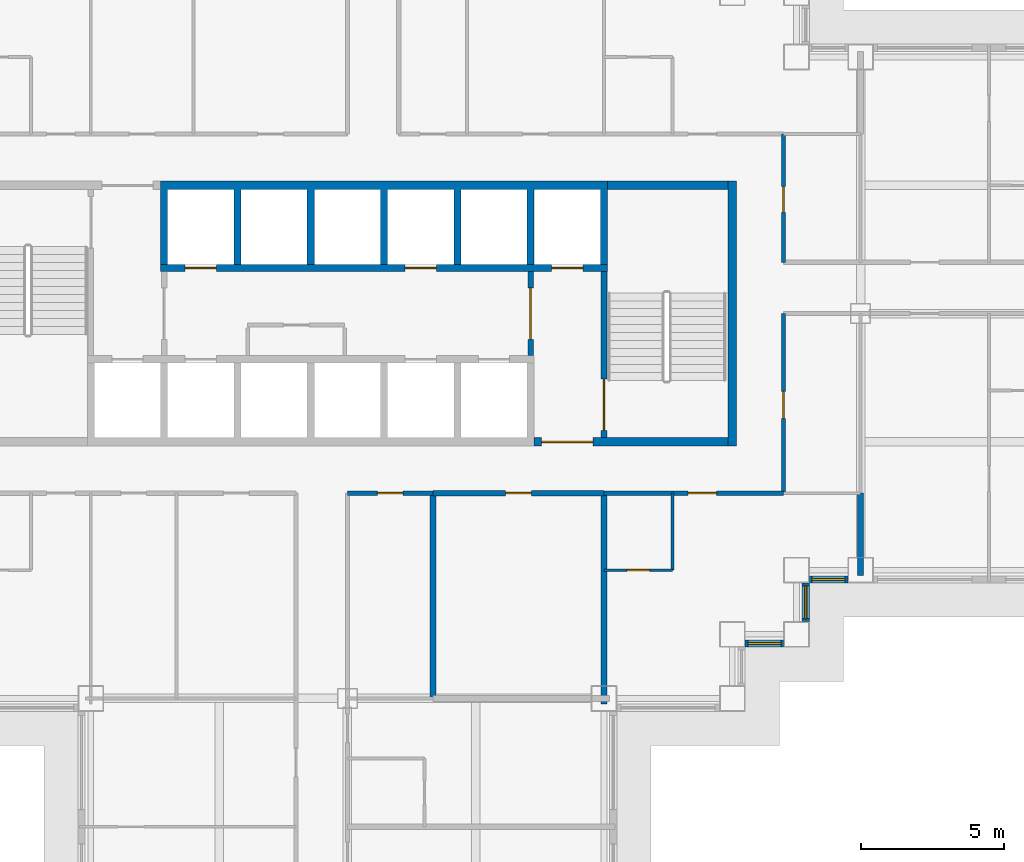
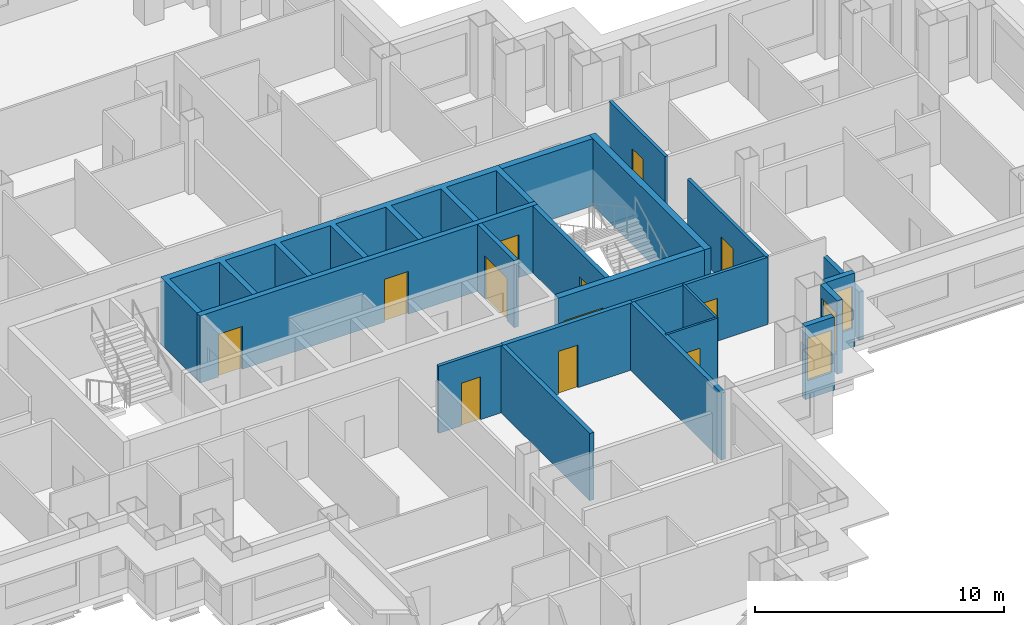
# One storey, part 6 of 15: 20 walls, 12 doors, 3 windows, 15 openings.
"""IFC4 building model written with IfcOpenShell, lengths in metres."""

from ifc_helpers import new_model, si_unit, direction, frame, frame_2d, origin, place, context, subcontext, project, spatial, polyline, rectangle, outline, extrude, material, layer, layer_set, type_object, element, fill, save


model = new_model("IFC4")

# Units and contexts
model_context = context("Model", 3, precision=1e-05, world=origin(), true_north=direction((0.0, 1.0)))
body_context = subcontext(model_context, "Body", "Model", "MODEL_VIEW")
ifc_project = project(units=[si_unit("LENGTHUNIT", "METRE"), si_unit("AREAUNIT", "SQUARE_METRE"), si_unit("VOLUMEUNIT", "CUBIC_METRE"), si_unit("PLANEANGLEUNIT", "RADIAN"), si_unit("MASSUNIT", "GRAM", prefix="KILO")], contexts=[model_context])

# Site, building, storey
site_placement = place(None, origin())
site = spatial("IfcSite", under=ifc_project, at=site_placement, CompositionType="ELEMENT")
building_placement = place(site_placement, origin())
building = spatial("IfcBuilding", under=site, at=building_placement, Name="Caravel Reach Hotel and Residences", CompositionType="ELEMENT")
storey_placement = place(building_placement, frame((0.0, 0.0, 104.39990234375)))
storey = spatial("IfcBuildingStorey", under=building, at=storey_placement, Name="L25", CompositionType="ELEMENT", Elevation=104.39990234375)

# Wall, opening, door
ifc_material_1 = material(Name="Gypsum board on steel stud", Category="steel")
ifc_layer_1 = layer(ifc_material_1, 0.10009765625)
ifc_layer_set_1 = layer_set([ifc_layer_1], Name="Bathroom pod wall 100 mm")
wall_type_1 = type_object("IfcWallType", Name="Bathroom pod wall 100 mm", PredefinedType="PARTITIONING", material=ifc_layer_set_1)
wall_1_placement = place(storey_placement, frame((40.5, 18.0, 0.0), z_axis=(0.0, 0.0, 1.0), x_axis=(1.0, 0.0, 0.0)))
wall_1 = element("IfcWall", 1, at=wall_1_placement, inside=storey, type_object=wall_type_1, Name="L25 wall w084", PredefinedType="PARTITIONING", context=body_context, shape_type="SweptSolid", body=[
    extrude(rectangle(XDim=2.39990234375, YDim=0.10009765625, at=frame_2d((1.199951171875, 0.0))), origin(), (0.0, 0.0, 1.0), 3.300048828125),
])
opening_1_placement = place(wall_1_placement, frame((0.800048828125, 0.0, 0.0)))
opening_1 = element("IfcOpeningElement", 2, at=opening_1_placement, cuts=wall_1, Name="Opening D25-052", PredefinedType="OPENING", context=body_context, shape_type="SweptSolid", body=[
    extrude(rectangle(XDim=0.800048828125, YDim=2.10009765625, at=frame_2d((0.39990234375, 1.050048828125))), frame((0.0, 0.06005859375, 0.0), z_axis=(0.0, -1.0, 0.0), x_axis=(1.0, 0.0, 0.0)), (0.0, 0.0, 1.0), 0.1201171875),
])
ifc_material_2 = material(Name="Timber and steel door leaf", Category="steel")
door_type_1 = type_object("IfcDoorType", Name="Bathroom door 800 x 2100", OperationType="SINGLE_SWING_LEFT", PredefinedType="DOOR", material=ifc_material_2)
door_1_placement = place(opening_1_placement, origin())
door_1 = element("IfcDoor", 3, at=door_1_placement, inside=storey, type_object=door_type_1, Name="door D25-052", OperationType="SINGLE_SWING_RIGHT", OverallHeight=2.10009765625, OverallWidth=0.800048828125, PredefinedType="DOOR", context=body_context, shape_type="SweptSolid", body=[
    extrude(rectangle(XDim=0.800048828125, YDim=2.10009765625, at=frame_2d((0.39990234375, 1.050048828125))), frame((0.0, 0.02490234375, 0.0), z_axis=(0.0, -1.0, 0.0), x_axis=(1.0, 0.0, 0.0)), (0.0, 0.0, 1.0), 0.050048828125),
])
fill(opening_1, door_1)

# Wall
wall_2_placement = place(storey_placement, frame((42.89990234375, 18.0, 0.0), z_axis=(0.0, 0.0, 1.0), x_axis=(0.0, 1.0, 0.0)))
element("IfcWall", 4, at=wall_2_placement, inside=storey, type_object=wall_type_1, Name="L25 wall w112", PredefinedType="PARTITIONING", context=body_context, shape_type="SweptSolid", body=[
    extrude(rectangle(XDim=2.699951171875, YDim=0.10009765625, at=frame_2d((1.35009765625, 0.0))), origin(), (0.0, 0.0, 1.0), 3.300048828125),
])

# Wall, opening, door
ifc_material_3 = material(Name="Autoclaved aerated block wall")
ifc_layer_2 = layer(ifc_material_3, 0.199951171875)
ifc_layer_set_2 = layer_set([ifc_layer_2], Name="Compartment wall 200 mm EI 120")
wall_type_2 = type_object("IfcWallType", Name="Compartment wall 200 mm EI 120", PredefinedType="PARTITIONING", material=ifc_layer_set_2)
wall_3_placement = place(storey_placement, frame((34.5, 20.699951171875, 0.0), z_axis=(0.0, 0.0, 1.0), x_axis=(1.0, 0.0, 0.0)))
wall_3 = element("IfcWall", 5, at=wall_3_placement, inside=storey, type_object=wall_type_2, Name="L25 wall w118", PredefinedType="PARTITIONING", context=body_context, shape_type="SweptSolid", body=[
    extrude(rectangle(XDim=6.0, YDim=0.199951171875, at=frame_2d((3.0, 0.0))), origin(), (0.0, 0.0, 1.0), 3.300048828125),
])
opening_2_placement = place(wall_3_placement, frame((2.550048828125, 0.0, 0.0)))
opening_2 = element("IfcOpeningElement", 6, at=opening_2_placement, cuts=wall_3, Name="Opening D25-060", PredefinedType="OPENING", context=body_context, shape_type="SweptSolid", body=[
    extrude(rectangle(XDim=0.89990234375, YDim=2.10009765625, at=frame_2d((0.449951171875, 1.050048828125))), frame((0.0, 0.10986328125, 0.0), z_axis=(0.0, -1.0, 0.0), x_axis=(1.0, 0.0, 0.0)), (0.0, 0.0, 1.0), 0.219970703125),
])
ifc_material_4 = material(Name="Steel fire door leaf", Category="steel")
door_type_2 = type_object("IfcDoorType", Name="Riser door 900 x 2100 EI 60", OperationType="SINGLE_SWING_LEFT", PredefinedType="DOOR", material=ifc_material_4)
door_2_placement = place(opening_2_placement, origin())
door_2 = element("IfcDoor", 7, at=door_2_placement, inside=storey, type_object=door_type_2, Name="door D25-060", OperationType="SINGLE_SWING_RIGHT", OverallHeight=2.10009765625, OverallWidth=0.89990234375, PredefinedType="DOOR", context=body_context, shape_type="SweptSolid", body=[
    extrude(rectangle(XDim=0.89990234375, YDim=2.10009765625, at=frame_2d((0.449951171875, 1.050048828125))), frame((0.0, 0.02490234375, 0.0), z_axis=(0.0, -1.0, 0.0), x_axis=(1.0, 0.0, 0.0)), (0.0, 0.0, 1.0), 0.050048828125),
])
fill(opening_2, door_2)

# Walls
wall_4_placement = place(storey_placement, frame((34.5, 13.5, 0.0), z_axis=(0.0, 0.0, 1.0), x_axis=(0.0, 1.0, 0.0)))
element("IfcWall", 8, at=wall_4_placement, inside=storey, type_object=wall_type_2, Name="L25 wall w119", PredefinedType="PARTITIONING", context=body_context, shape_type="SweptSolid", body=[
    extrude(rectangle(XDim=7.199951171875, YDim=0.199951171875, at=frame_2d((3.60009765625, 0.0))), origin(), (0.0, 0.0, 1.0), 3.300048828125),
])
wall_5_placement = place(storey_placement, frame((40.5, 13.31005859375, 0.0), z_axis=(0.0, 0.0, 1.0), x_axis=(0.0, 1.0, 0.0)))
element("IfcWall", 9, at=wall_5_placement, inside=storey, type_object=wall_type_2, Name="L25 wall w120", PredefinedType="PARTITIONING", context=body_context, shape_type="SweptSolid", body=[
    extrude(rectangle(XDim=7.389892578125, YDim=0.199951171875, at=frame_2d((3.69482421875, 0.0))), origin(), (0.0, 0.0, 1.0), 3.300048828125),
])

# Wall, opening, door
ifc_material_5 = material(Name="Concrete C60", Category="concrete")
ifc_layer_3 = layer(ifc_material_5, 0.300048828125)
ifc_layer_set_3 = layer_set([ifc_layer_3], Name="Core wall 300 mm EI 120")
wall_type_3 = type_object("IfcWallType", Name="Core wall 300 mm EI 120", PredefinedType="SHEAR", material=ifc_layer_set_3)
wall_6_placement = place(storey_placement, frame((38.053466796875, 22.5, 0.0), z_axis=(0.0, 0.0, 1.0), x_axis=(1.0, 0.0, 0.0)))
wall_6 = element("IfcWall", 10, at=wall_6_placement, inside=storey, type_object=wall_type_3, Name="L25 core wall S2", PredefinedType="SHEAR", context=body_context, shape_type="SweptSolid", body=[
    extrude(rectangle(XDim=6.796630859375, YDim=0.300048828125, at=frame_2d((3.3984375, 0.0))), origin(), (0.0, 0.0, 1.0), 3.300048828125),
])
opening_3_placement = place(wall_6_placement, frame((0.2607421875, 0.0, 0.0)))
opening_3 = element("IfcOpeningElement", 11, at=opening_3_placement, cuts=wall_6, Name="Opening D25-014", PredefinedType="OPENING", context=body_context, shape_type="SweptSolid", body=[
    extrude(rectangle(XDim=1.800048828125, YDim=2.10009765625, at=frame_2d((0.89990234375, 1.050048828125))), frame((0.0, 0.159912109375, 0.0), z_axis=(0.0, -1.0, 0.0), x_axis=(1.0, 0.0, 0.0)), (0.0, 0.0, 1.0), 0.320068359375),
])
ifc_material_6 = material(Name="Steel fire door leaf", Category="steel")
door_type_3 = type_object("IfcDoorType", Name="Fire lobby door pair 1800 x 2100 EI 90", OperationType="DOUBLE_DOOR_SINGLE_SWING", PredefinedType="DOOR", material=ifc_material_6)
door_3_placement = place(opening_3_placement, origin())
door_3 = element("IfcDoor", 12, at=door_3_placement, inside=storey, type_object=door_type_3, Name="lobby S door pair to corridor", OperationType="DOUBLE_DOOR_SINGLE_SWING", OverallHeight=2.10009765625, OverallWidth=1.800048828125, PredefinedType="DOOR", context=body_context, shape_type="SweptSolid", body=[
    extrude(rectangle(XDim=1.800048828125, YDim=2.10009765625, at=frame_2d((0.89990234375, 1.050048828125))), frame((0.0, 0.02490234375, 0.0), z_axis=(0.0, -1.0, 0.0), x_axis=(1.0, 0.0, 0.0)), (0.0, 0.0, 1.0), 0.050048828125),
])
fill(opening_3, door_3)

# Walls
wall_7_placement = place(storey_placement, frame((40.625, 31.5, 0.0), z_axis=(0.0, 0.0, 1.0), x_axis=(1.0, 0.0, 0.0)))
element("IfcWall", 13, at=wall_7_placement, inside=storey, type_object=wall_type_3, Name="L25 core wall N2", PredefinedType="SHEAR", context=body_context, shape_type="SweptSolid", body=[
    extrude(rectangle(XDim=4.22509765625, YDim=0.300048828125, at=frame_2d((2.112548828125, 0.0))), origin(), (0.0, 0.0, 1.0), 3.300048828125),
])
wall_8_placement = place(storey_placement, frame((45.0, 22.35009765625, 0.0), z_axis=(0.0, 0.0, 1.0), x_axis=(0.0, 1.0, 0.0)))
element("IfcWall", 14, at=wall_8_placement, inside=storey, type_object=wall_type_3, Name="L25 core wall E", PredefinedType="SHEAR", context=body_context, shape_type="SweptSolid", body=[
    extrude(rectangle(XDim=9.2998046875, YDim=0.300048828125, at=frame_2d((4.64990234375, 0.0))), origin(), (0.0, 0.0, 1.0), 3.300048828125),
])

# Wall, opening, door
ifc_material_7 = material(Name="Gypsum board on steel stud, fire-rated", Category="steel")
ifc_layer_4 = layer(ifc_material_7, 0.14990234375)
ifc_layer_set_4 = layer_set([ifc_layer_4], Name="Corridor wall 150 mm EI 60")
wall_type_4 = type_object("IfcWallType", Name="Corridor wall 150 mm EI 60", PredefinedType="PARTITIONING", material=ifc_layer_set_4)
wall_9_placement = place(storey_placement, frame((40.5, 20.699951171875, 0.0), z_axis=(0.0, 0.0, 1.0), x_axis=(1.0, 0.0, 0.0)))
wall_9 = element("IfcWall", 15, at=wall_9_placement, inside=storey, type_object=wall_type_4, Name="L25 wall w002", PredefinedType="PARTITIONING", context=body_context, shape_type="SweptSolid", body=[
    extrude(rectangle(XDim=6.300048828125, YDim=0.14990234375, at=frame_2d((3.14990234375, 0.0))), origin(), (0.0, 0.0, 1.0), 3.300048828125),
])
opening_4_placement = place(wall_9_placement, frame((2.949951171875, 0.0, 0.0)))
opening_4 = element("IfcOpeningElement", 16, at=opening_4_placement, cuts=wall_9, Name="Opening D25-051", PredefinedType="OPENING", context=body_context, shape_type="SweptSolid", body=[
    extrude(rectangle(XDim=1.0, YDim=2.10009765625, at=frame_2d((0.5, 1.050048828125))), frame((0.0, 0.0849609375, 0.0), z_axis=(0.0, -1.0, 0.0), x_axis=(1.0, 0.0, 0.0)), (0.0, 0.0, 1.0), 0.169921875),
])
ifc_material_8 = material(Name="Steel fire door leaf", Category="steel")
door_type_4 = type_object("IfcDoorType", Name="Guest room door 1000 x 2100 EI 30", OperationType="SINGLE_SWING_LEFT", PredefinedType="DOOR", material=ifc_material_8)
door_4_placement = place(opening_4_placement, origin())
door_4 = element("IfcDoor", 17, at=door_4_placement, inside=storey, type_object=door_type_4, Name="door D25-051", OperationType="SINGLE_SWING_RIGHT", OverallHeight=2.10009765625, OverallWidth=1.0, PredefinedType="DOOR", context=body_context, shape_type="SweptSolid", body=[
    extrude(rectangle(XDim=1.0, YDim=2.10009765625, at=frame_2d((0.5, 1.050048828125))), frame((0.0, 0.02490234375, 0.0), z_axis=(0.0, -1.0, 0.0), x_axis=(1.0, 0.0, 0.0)), (0.0, 0.0, 1.0), 0.050048828125),
])
fill(opening_4, door_4)

wall_10_placement = place(storey_placement, frame((31.5, 20.699951171875, 0.0), z_axis=(0.0, 0.0, 1.0), x_axis=(1.0, 0.0, 0.0)))
wall_10 = element("IfcWall", 18, at=wall_10_placement, inside=storey, type_object=wall_type_4, Name="L25 wall w005", PredefinedType="PARTITIONING", context=body_context, shape_type="SweptSolid", body=[
    extrude(rectangle(XDim=3.0, YDim=0.14990234375, at=frame_2d((1.5, 0.0))), origin(), (0.0, 0.0, 1.0), 3.300048828125),
])
opening_5_placement = place(wall_10_placement, frame((1.050048828125, 0.0, 0.0)))
opening_5 = element("IfcOpeningElement", 19, at=opening_5_placement, cuts=wall_10, Name="Opening D25-059", PredefinedType="OPENING", context=body_context, shape_type="SweptSolid", body=[
    extrude(rectangle(XDim=0.89990234375, YDim=2.10009765625, at=frame_2d((0.449951171875, 1.050048828125))), frame((0.0, 0.0849609375, 0.0), z_axis=(0.0, -1.0, 0.0), x_axis=(1.0, 0.0, 0.0)), (0.0, 0.0, 1.0), 0.169921875),
])
ifc_material_9 = material(Name="Timber and steel door leaf", Category="steel")
door_type_5 = type_object("IfcDoorType", Name="Door 900 x 2100 timber", OperationType="SINGLE_SWING_LEFT", PredefinedType="DOOR", material=ifc_material_9)
door_5_placement = place(opening_5_placement, origin())
door_5 = element("IfcDoor", 20, at=door_5_placement, inside=storey, type_object=door_type_5, Name="door D25-059", OperationType="SINGLE_SWING_RIGHT", OverallHeight=2.10009765625, OverallWidth=0.89990234375, PredefinedType="DOOR", context=body_context, shape_type="SweptSolid", body=[
    extrude(rectangle(XDim=0.89990234375, YDim=2.10009765625, at=frame_2d((0.449951171875, 1.050048828125))), frame((0.0, 0.02490234375, 0.0), z_axis=(0.0, -1.0, 0.0), x_axis=(1.0, 0.0, 0.0)), (0.0, 0.0, 1.0), 0.050048828125),
])
fill(opening_5, door_5)

wall_11_placement = place(storey_placement, frame((46.800048828125, 28.800048828125, 0.0), z_axis=(0.0, 0.0, 1.0), x_axis=(0.0, 1.0, 0.0)))
wall_11 = element("IfcWall", 21, at=wall_11_placement, inside=storey, type_object=wall_type_4, Name="L25 wall w039", PredefinedType="PARTITIONING", context=body_context, shape_type="SweptSolid", body=[
    extrude(rectangle(XDim=4.5, YDim=0.14990234375, at=frame_2d((2.25, 0.0))), origin(), (0.0, 0.0, 1.0), 3.300048828125),
])
opening_6_placement = place(wall_11_placement, frame((1.75, 0.0, 0.0)))
opening_6 = element("IfcOpeningElement", 22, at=opening_6_placement, cuts=wall_11, Name="Opening D25-064", PredefinedType="OPENING", context=body_context, shape_type="SweptSolid", body=[
    extrude(rectangle(XDim=0.89990234375, YDim=2.10009765625, at=frame_2d((0.449951171875, 1.050048828125))), frame((0.0, 0.0849609375, 0.0), z_axis=(0.0, -1.0, 0.0), x_axis=(1.0, 0.0, 0.0)), (0.0, 0.0, 1.0), 0.169921875),
])
door_6_placement = place(opening_6_placement, origin())
door_6 = element("IfcDoor", 23, at=door_6_placement, inside=storey, type_object=door_type_5, Name="door D25-064", OperationType="SINGLE_SWING_RIGHT", OverallHeight=2.10009765625, OverallWidth=0.89990234375, PredefinedType="DOOR", context=body_context, shape_type="SweptSolid", body=[
    extrude(rectangle(XDim=0.89990234375, YDim=2.10009765625, at=frame_2d((0.449951171875, 1.050048828125))), frame((0.0, 0.02490234375, 0.0), z_axis=(0.0, -1.0, 0.0), x_axis=(1.0, 0.0, 0.0)), (0.0, 0.0, 1.0), 0.050048828125),
])
fill(opening_6, door_6)

wall_12_placement = place(storey_placement, frame((46.800048828125, 20.699951171875, 0.0), z_axis=(0.0, 0.0, 1.0), x_axis=(0.0, 1.0, 0.0)))
wall_12 = element("IfcWall", 24, at=wall_12_placement, inside=storey, type_object=wall_type_4, Name="L25 wall w040", PredefinedType="PARTITIONING", context=body_context, shape_type="SweptSolid", body=[
    extrude(rectangle(XDim=6.300048828125, YDim=0.14990234375, at=frame_2d((3.14990234375, 0.0))), origin(), (0.0, 0.0, 1.0), 3.300048828125),
])
opening_7_placement = place(wall_12_placement, frame((2.625, 0.0, 0.0)))
opening_7 = element("IfcOpeningElement", 25, at=opening_7_placement, cuts=wall_12, Name="Opening D25-063", PredefinedType="OPENING", context=body_context, shape_type="SweptSolid", body=[
    extrude(rectangle(XDim=0.949951171875, YDim=2.10009765625, at=frame_2d((0.47509765625, 1.050048828125))), frame((0.0, 0.0849609375, 0.0), z_axis=(0.0, -1.0, 0.0), x_axis=(1.0, 0.0, 0.0)), (0.0, 0.0, 1.0), 0.169921875),
])
ifc_material_10 = material(Name="Timber and steel door leaf", Category="steel")
door_type_6 = type_object("IfcDoorType", Name="Accessible WC door 950 x 2100", OperationType="SINGLE_SWING_LEFT", PredefinedType="DOOR", material=ifc_material_10)
door_7_placement = place(opening_7_placement, origin())
door_7 = element("IfcDoor", 26, at=door_7_placement, inside=storey, type_object=door_type_6, Name="door D25-063", OperationType="SINGLE_SWING_RIGHT", OverallHeight=2.10009765625, OverallWidth=0.949951171875, PredefinedType="DOOR", context=body_context, shape_type="SweptSolid", body=[
    extrude(rectangle(XDim=0.949951171875, YDim=2.10009765625, at=frame_2d((0.47509765625, 1.050048828125))), frame((0.0, 0.02490234375, 0.0), z_axis=(0.0, -1.0, 0.0), x_axis=(1.0, 0.0, 0.0)), (0.0, 0.0, 1.0), 0.050048828125),
])
fill(opening_7, door_7)

# Wall, opening, window
ifc_material_11 = material(Name="Insulated rainscreen wall, aluminium cladding", Category="aluminium")
ifc_layer_5 = layer(ifc_material_11, 0.25)
ifc_layer_set_5 = layer_set([ifc_layer_5], Name="EW1 Tower rainscreen wall")
wall_type_5 = type_object("IfcWallType", Name="EW1 Tower rainscreen wall", PredefinedType="SOLIDWALL", material=ifc_layer_set_5)
wall_13_placement = place(storey_placement, frame((45.449951171875, 15.425048828125, 0.0), z_axis=(0.0, 0.0, 1.0), x_axis=(1.0, 0.0, 0.0)))
wall_13 = element("IfcWall", 27, at=wall_13_placement, inside=storey, type_object=wall_type_5, Name="External wall L25 S13.1", PredefinedType="SOLIDWALL", context=body_context, shape_type="SweptSolid", body=[
    extrude(rectangle(XDim=1.35009765625, YDim=0.25, at=frame_2d((0.675048828125, 0.0))), origin(), (0.0, 0.0, 1.0), 3.60009765625),
])
opening_8_placement = place(wall_13_placement, frame((0.10009765625, 0.0, 0.89990234375)))
opening_8 = element("IfcOpeningElement", 28, at=opening_8_placement, cuts=wall_13, Name="Opening WN8", PredefinedType="OPENING", context=body_context, shape_type="SweptSolid", body=[
    extrude(rectangle(XDim=1.14990234375, YDim=2.080078125, at=frame_2d((0.574951171875, 1.0400390625))), frame((0.0, 0.135009765625, 0.0), z_axis=(0.0, -1.0, 0.0), x_axis=(1.0, 0.0, 0.0)), (0.0, 0.0, 1.0), 0.27001953125),
])
ifc_material_12 = material(Name="Dark low-e glazing in black aluminium frame", Category="aluminium")
window_type = type_object("IfcWindowType", Name="Hotel suite corner window 1150 x 2080", PartitioningType="SINGLE_PANEL", PredefinedType="WINDOW", material=ifc_material_12)
window_1_placement = place(opening_8_placement, origin())
window_1 = element("IfcWindow", 29, at=window_1_placement, inside=storey, type_object=window_type, Name="Window L25 S13.1.1", OverallHeight=2.080078125, OverallWidth=1.14990234375, PartitioningType="SINGLE_PANEL", PredefinedType="WINDOW", context=body_context, shape_type="SweptSolid", body=[
    extrude(rectangle(XDim=1.14990234375, YDim=2.080078125, at=frame_2d((0.574951171875, 1.0400390625))), frame((0.0, 0.030029296875, 0.0), z_axis=(0.0, -1.0, 0.0), x_axis=(1.0, 0.0, 0.0)), (0.0, 0.0, 1.0), 0.06005859375),
])
fill(opening_8, window_1)

wall_14_placement = place(storey_placement, frame((47.574951171875, 16.199951171875, 0.0), z_axis=(0.0, 0.0, 1.0), x_axis=(0.0, 1.0, 0.0)))
wall_14 = element("IfcWall", 30, at=wall_14_placement, inside=storey, type_object=wall_type_5, Name="External wall L25 E14.1", PredefinedType="SOLIDWALL", context=body_context, shape_type="SweptSolid", body=[
    extrude(rectangle(XDim=1.35009765625, YDim=0.25, at=frame_2d((0.675048828125, 0.0))), origin(), (0.0, 0.0, 1.0), 3.60009765625),
])
opening_9_placement = place(wall_14_placement, frame((0.10009765625, 0.0, 0.89990234375)))
opening_9 = element("IfcOpeningElement", 31, at=opening_9_placement, cuts=wall_14, Name="Opening WN8", PredefinedType="OPENING", context=body_context, shape_type="SweptSolid", body=[
    extrude(rectangle(XDim=1.14990234375, YDim=2.080078125, at=frame_2d((0.574951171875, 1.0400390625))), frame((0.0, 0.135009765625, 0.0), z_axis=(0.0, -1.0, 0.0), x_axis=(1.0, 0.0, 0.0)), (0.0, 0.0, 1.0), 0.27001953125),
])
window_2_placement = place(opening_9_placement, origin())
window_2 = element("IfcWindow", 32, at=window_2_placement, inside=storey, type_object=window_type, Name="Window L25 E14.1.1", OverallHeight=2.080078125, OverallWidth=1.14990234375, PartitioningType="SINGLE_PANEL", PredefinedType="WINDOW", context=body_context, shape_type="SweptSolid", body=[
    extrude(rectangle(XDim=1.14990234375, YDim=2.080078125, at=frame_2d((0.574951171875, 1.0400390625))), frame((0.0, 0.030029296875, 0.0), z_axis=(0.0, -1.0, 0.0), x_axis=(1.0, 0.0, 0.0)), (0.0, 0.0, 1.0), 0.06005859375),
])
fill(opening_9, window_2)

wall_15_placement = place(storey_placement, frame((47.699951171875, 17.675048828125, 0.0), z_axis=(0.0, 0.0, 1.0), x_axis=(1.0, 0.0, 0.0)))
wall_15 = element("IfcWall", 33, at=wall_15_placement, inside=storey, type_object=wall_type_5, Name="External wall L25 S15.1", PredefinedType="SOLIDWALL", context=body_context, shape_type="SweptSolid", body=[
    extrude(rectangle(XDim=1.35009765625, YDim=0.25, at=frame_2d((0.675048828125, 0.0))), origin(), (0.0, 0.0, 1.0), 3.60009765625),
])
opening_10_placement = place(wall_15_placement, frame((0.10009765625, 0.0, 0.89990234375)))
opening_10 = element("IfcOpeningElement", 34, at=opening_10_placement, cuts=wall_15, Name="Opening WN8", PredefinedType="OPENING", context=body_context, shape_type="SweptSolid", body=[
    extrude(rectangle(XDim=1.14990234375, YDim=2.080078125, at=frame_2d((0.574951171875, 1.0400390625))), frame((0.0, 0.135009765625, 0.0), z_axis=(0.0, -1.0, 0.0), x_axis=(1.0, 0.0, 0.0)), (0.0, 0.0, 1.0), 0.27001953125),
])
window_3_placement = place(opening_10_placement, origin())
window_3 = element("IfcWindow", 35, at=window_3_placement, inside=storey, type_object=window_type, Name="Window L25 S15.1.1", OverallHeight=2.080078125, OverallWidth=1.14990234375, PartitioningType="SINGLE_PANEL", PredefinedType="WINDOW", context=body_context, shape_type="SweptSolid", body=[
    extrude(rectangle(XDim=1.14990234375, YDim=2.080078125, at=frame_2d((0.574951171875, 1.0400390625))), frame((0.0, 0.030029296875, 0.0), z_axis=(0.0, -1.0, 0.0), x_axis=(1.0, 0.0, 0.0)), (0.0, 0.0, 1.0), 0.06005859375),
])
fill(opening_10, window_3)

# Wall, opening, door
ifc_material_13 = material(Name="Autoclaved aerated block wall")
ifc_layer_6 = layer(ifc_material_13, 0.199951171875)
ifc_layer_set_6 = layer_set([ifc_layer_6], Name="Fire lobby wall 200 mm EI 120")
wall_type_6 = type_object("IfcWallType", Name="Fire lobby wall 200 mm EI 120", PredefinedType="PARTITIONING", material=ifc_layer_set_6)
wall_16_placement = place(storey_placement, frame((37.928466796875, 25.52490234375, 0.0), z_axis=(0.0, 0.0, 1.0), x_axis=(0.0, 1.0, 0.0)))
wall_16 = element("IfcWall", 36, at=wall_16_placement, inside=storey, type_object=wall_type_6, Name="L25 lobby E wall", PredefinedType="PARTITIONING", context=body_context, shape_type="SweptSolid", body=[
    extrude(rectangle(XDim=2.9501953125, YDim=0.199951171875, at=frame_2d((1.47509765625, 0.0))), origin(), (0.0, 0.0, 1.0), 3.300048828125),
])
opening_11_placement = place(wall_16_placement, frame((0.574951171875, 0.0, 0.0)))
opening_11 = element("IfcOpeningElement", 37, at=opening_11_placement, cuts=wall_16, Name="Opening D25-012", PredefinedType="OPENING", context=body_context, shape_type="SweptSolid", body=[
    extrude(rectangle(XDim=1.800048828125, YDim=2.10009765625, at=frame_2d((0.89990234375, 1.050048828125))), frame((0.0, 0.10986328125, 0.0), z_axis=(0.0, -1.0, 0.0), x_axis=(1.0, 0.0, 0.0)), (0.0, 0.0, 1.0), 0.219970703125),
])
door_8_placement = place(opening_11_placement, origin())
door_8 = element("IfcDoor", 38, at=door_8_placement, inside=storey, type_object=door_type_3, Name="lobby E door pair", OperationType="DOUBLE_DOOR_SINGLE_SWING", OverallHeight=2.10009765625, OverallWidth=1.800048828125, PredefinedType="DOOR", context=body_context, shape_type="SweptSolid", body=[
    extrude(rectangle(XDim=1.800048828125, YDim=2.10009765625, at=frame_2d((0.89990234375, 1.050048828125))), frame((0.0, 0.02490234375, 0.0), z_axis=(0.0, -1.0, 0.0), x_axis=(1.0, 0.0, 0.0)), (0.0, 0.0, 1.0), 0.050048828125),
])
fill(opening_11, door_8)

# Walls
ifc_material_14 = material(Name="Autoclaved aerated block wall")
ifc_layer_7 = layer(ifc_material_14, 0.199951171875)
ifc_layer_set_7 = layer_set([ifc_layer_7], Name="Party wall 200 mm EI 60")
wall_type_7 = type_object("IfcWallType", Name="Party wall 200 mm EI 60", PredefinedType="PARTITIONING", material=ifc_layer_set_7)
wall_17_placement = place(storey_placement, frame((49.5, 17.81005859375, 0.0), z_axis=(0.0, 0.0, 1.0), x_axis=(0.0, 1.0, 0.0)))
element("IfcWall", 39, at=wall_17_placement, inside=storey, type_object=wall_type_7, Name="L25 wall w079", PredefinedType="PARTITIONING", context=body_context, shape_type="SweptSolid", body=[
    extrude(rectangle(XDim=2.889892578125, YDim=0.199951171875, at=frame_2d((1.44482421875, 0.0))), origin(), (0.0, 0.0, 1.0), 2.380126953125),
])
ifc_material_15 = material(Name="Concrete C60", Category="concrete")
ifc_layer_8 = layer(ifc_material_15, 0.25)
ifc_layer_set_8 = layer_set([ifc_layer_8], Name="Shaft wall 250 mm EI 120")
wall_type_8 = type_object("IfcWallType", Name="Shaft wall 250 mm EI 120", PredefinedType="SHEAR", material=ifc_layer_set_8)
wall_18_placement = place(storey_placement, origin())
element("IfcWall", 40, at=wall_18_placement, inside=storey, type_object=wall_type_8, Name="L25 lift shaft wall N1", PredefinedType="SHEAR", context=body_context, shape_type="SweptSolid", body=[
    extrude(outline(polyline([(24.946533203125, 28.72509765625), (25.196533203125, 28.72509765625), (25.196533203125, 31.35009765625), (27.517822265625, 31.35009765625), (27.517822265625, 28.72509765625), (27.767822265625, 28.72509765625), (27.767822265625, 31.35009765625), (30.08935546875, 31.35009765625), (30.08935546875, 28.72509765625), (30.33935546875, 28.72509765625), (30.33935546875, 31.35009765625), (32.66064453125, 31.35009765625), (32.66064453125, 28.72509765625), (32.91064453125, 28.72509765625), (32.91064453125, 31.35009765625), (35.232177734375, 31.35009765625), (35.232177734375, 28.72509765625), (35.482177734375, 28.72509765625), (35.482177734375, 31.35009765625), (37.803466796875, 31.35009765625), (37.803466796875, 28.72509765625), (38.053466796875, 28.72509765625), (38.053466796875, 31.35009765625), (40.375, 31.35009765625), (40.375, 28.72509765625), (40.625, 28.72509765625), (40.625, 31.64990234375), (24.946533203125, 31.64990234375), (24.946533203125, 28.72509765625)])), origin(), (0.0, 0.0, 1.0), 3.300048828125),
])

# Wall, openings, doors
wall_19_placement = place(storey_placement, frame((24.946533203125, 28.60009765625, 0.0), z_axis=(0.0, 0.0, 1.0), x_axis=(1.0, 0.0, 0.0)))
wall_19 = element("IfcWall", 41, at=wall_19_placement, inside=storey, type_object=wall_type_8, Name="L25 lobby wall N1", PredefinedType="SHEAR", context=body_context, shape_type="SweptSolid", body=[
    extrude(rectangle(XDim=15.678466796875, YDim=0.25, at=frame_2d((7.83935546875, 0.0))), origin(), (0.0, 0.0, 1.0), 3.300048828125),
])
opening_12_placement = place(wall_19_placement, frame((0.860595703125, 0.0, 0.0)))
opening_12 = element("IfcOpeningElement", 42, at=opening_12_placement, cuts=wall_19, Name="Opening D25-004", PredefinedType="OPENING", context=body_context, shape_type="SweptSolid", body=[
    extrude(rectangle(XDim=1.10009765625, YDim=2.10009765625, at=frame_2d((0.550048828125, 1.050048828125))), frame((0.0, 0.135009765625, 0.0), z_axis=(0.0, -1.0, 0.0), x_axis=(1.0, 0.0, 0.0)), (0.0, 0.0, 1.0), 0.27001953125),
])
opening_13_placement = place(wall_19_placement, frame((8.574951171875, 0.0, 0.0)))
opening_13 = element("IfcOpeningElement", 43, at=opening_13_placement, cuts=wall_19, Name="Opening D25-005", PredefinedType="OPENING", context=body_context, shape_type="SweptSolid", body=[
    extrude(rectangle(XDim=1.10009765625, YDim=2.10009765625, at=frame_2d((0.550048828125, 1.050048828125))), frame((0.0, 0.135009765625, 0.0), z_axis=(0.0, -1.0, 0.0), x_axis=(1.0, 0.0, 0.0)), (0.0, 0.0, 1.0), 0.27001953125),
])
opening_14_placement = place(wall_19_placement, frame((13.718017578125, 0.0, 0.0)))
opening_14 = element("IfcOpeningElement", 44, at=opening_14_placement, cuts=wall_19, Name="Opening D25-007", PredefinedType="OPENING", context=body_context, shape_type="SweptSolid", body=[
    extrude(rectangle(XDim=1.10009765625, YDim=2.10009765625, at=frame_2d((0.550048828125, 1.050048828125))), frame((0.0, 0.135009765625, 0.0), z_axis=(0.0, -1.0, 0.0), x_axis=(1.0, 0.0, 0.0)), (0.0, 0.0, 1.0), 0.27001953125),
])
ifc_material_16 = material(Name="Stainless steel landing door", Category="steel")
door_type_7 = type_object("IfcDoorType", Name="Landing door LD 1100 x 2100 sliding", OperationType="DOUBLE_DOOR_SLIDING", PredefinedType="DOOR", material=ifc_material_16)
door_9_placement = place(opening_12_placement, origin())
door_9 = element("IfcDoor", 45, at=door_9_placement, inside=storey, type_object=door_type_7, Name="LP4 landing door", OperationType="DOUBLE_DOOR_SLIDING", OverallHeight=2.10009765625, OverallWidth=1.10009765625, PredefinedType="DOOR", context=body_context, shape_type="SweptSolid", body=[
    extrude(rectangle(XDim=1.10009765625, YDim=2.10009765625, at=frame_2d((0.550048828125, 1.050048828125))), frame((0.0, 0.02490234375, 0.0), z_axis=(0.0, -1.0, 0.0), x_axis=(1.0, 0.0, 0.0)), (0.0, 0.0, 1.0), 0.050048828125),
])
fill(opening_12, door_9)
door_10_placement = place(opening_13_placement, origin())
door_10 = element("IfcDoor", 46, at=door_10_placement, inside=storey, type_object=door_type_7, Name="LP5 landing door", OperationType="DOUBLE_DOOR_SLIDING", OverallHeight=2.10009765625, OverallWidth=1.10009765625, PredefinedType="DOOR", context=body_context, shape_type="SweptSolid", body=[
    extrude(rectangle(XDim=1.10009765625, YDim=2.10009765625, at=frame_2d((0.550048828125, 1.050048828125))), frame((0.0, 0.02490234375, 0.0), z_axis=(0.0, -1.0, 0.0), x_axis=(1.0, 0.0, 0.0)), (0.0, 0.0, 1.0), 0.050048828125),
])
fill(opening_13, door_10)
door_11_placement = place(opening_14_placement, origin())
door_11 = element("IfcDoor", 47, at=door_11_placement, inside=storey, type_object=door_type_7, Name="FL2 landing door", OperationType="DOUBLE_DOOR_SLIDING", OverallHeight=2.10009765625, OverallWidth=1.10009765625, PredefinedType="DOOR", context=body_context, shape_type="SweptSolid", body=[
    extrude(rectangle(XDim=1.10009765625, YDim=2.10009765625, at=frame_2d((0.550048828125, 1.050048828125))), frame((0.0, 0.02490234375, 0.0), z_axis=(0.0, -1.0, 0.0), x_axis=(1.0, 0.0, 0.0)), (0.0, 0.0, 1.0), 0.050048828125),
])
fill(opening_14, door_11)

# Wall, opening, door
ifc_material_17 = material(Name="Concrete C60", Category="concrete")
ifc_layer_9 = layer(ifc_material_17, 0.199951171875)
ifc_layer_set_9 = layer_set([ifc_layer_9], Name="Stair enclosure wall 200 mm EI 120")
wall_type_9 = type_object("IfcWallType", Name="Stair enclosure wall 200 mm EI 120", PredefinedType="SHEAR", material=ifc_layer_set_9)
wall_20_placement = place(storey_placement, frame((40.5, 22.64990234375, 0.0), z_axis=(0.0, 0.0, 1.0), x_axis=(0.0, 1.0, 0.0)))
wall_20 = element("IfcWall", 48, at=wall_20_placement, inside=storey, type_object=wall_type_9, Name="L25 stair B wall", PredefinedType="SHEAR", context=body_context, shape_type="SweptSolid", body=[
    extrude(rectangle(XDim=5.8251953125, YDim=0.199951171875, at=frame_2d((2.91259765625, 0.0))), origin(), (0.0, 0.0, 1.0), 3.300048828125),
])
opening_15_placement = place(wall_20_placement, frame((0.25, 0.0, 0.0)))
opening_15 = element("IfcOpeningElement", 49, at=opening_15_placement, cuts=wall_20, Name="Opening D25-010", PredefinedType="OPENING", context=body_context, shape_type="SweptSolid", body=[
    extrude(rectangle(XDim=1.800048828125, YDim=2.10009765625, at=frame_2d((0.89990234375, 1.050048828125))), frame((0.0, 0.10986328125, 0.0), z_axis=(0.0, -1.0, 0.0), x_axis=(1.0, 0.0, 0.0)), (0.0, 0.0, 1.0), 0.219970703125),
])
ifc_material_18 = material(Name="Steel fire door leaf", Category="steel")
door_type_8 = type_object("IfcDoorType", Name="Stair door pair 1800 x 2100 EI 90", OperationType="DOUBLE_DOOR_SINGLE_SWING", PredefinedType="DOOR", material=ifc_material_18)
door_12_placement = place(opening_15_placement, origin())
door_12 = element("IfcDoor", 50, at=door_12_placement, inside=storey, type_object=door_type_8, Name="stair B door pair", OperationType="DOUBLE_DOOR_SINGLE_SWING", OverallHeight=2.10009765625, OverallWidth=1.800048828125, PredefinedType="DOOR", context=body_context, shape_type="SweptSolid", body=[
    extrude(rectangle(XDim=1.800048828125, YDim=2.10009765625, at=frame_2d((0.89990234375, 1.050048828125))), frame((0.0, 0.02490234375, 0.0), z_axis=(0.0, -1.0, 0.0), x_axis=(1.0, 0.0, 0.0)), (0.0, 0.0, 1.0), 0.050048828125),
])
fill(opening_15, door_12)

save(model, "model.ifc")
